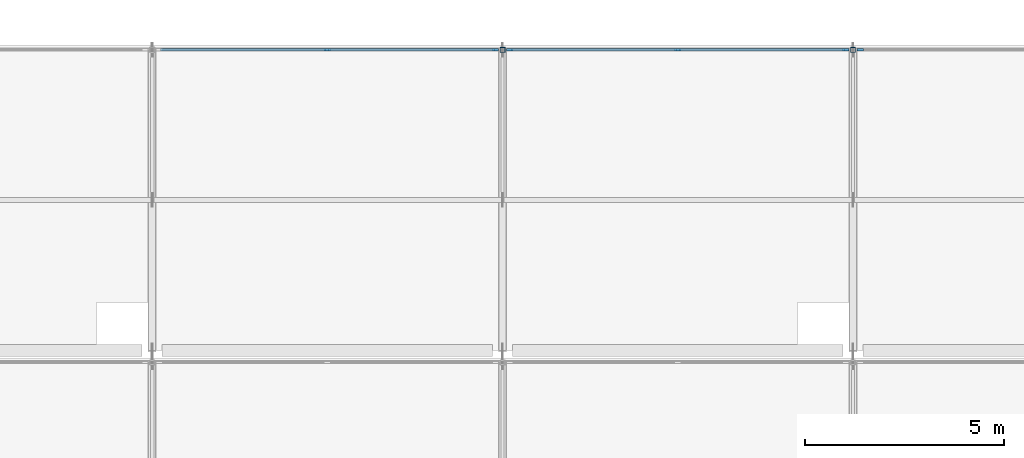
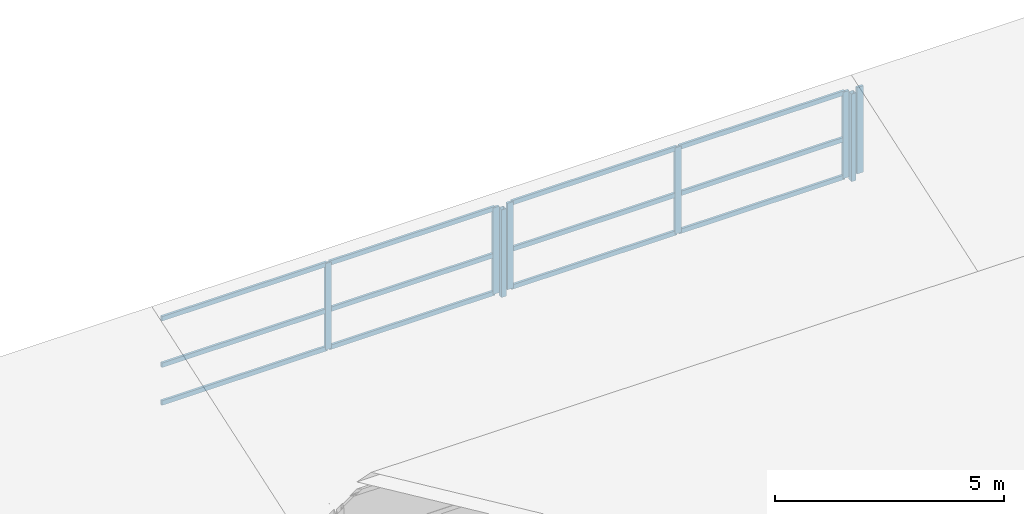
# One storey, part 18 of 40: 20 members, 3 elements without a shape of their own.
"""IFC4 building model written with IfcOpenShell, lengths in metres."""

from ifc_helpers import new_model, si_unit, direction, frame, origin, origin_2d, place, context, subcontext, project, spatial, rectangle, hollow_rectangle, extrude, material, material_profile, profile_set, type_object, element, aggregate, save


model = new_model("IFC4")

# Units and contexts
model_context = context("Model", 3, precision=1e-05, world=origin(), true_north=direction((0.0, 1.0)))
body_context = subcontext(model_context, "Body", "Model", "MODEL_VIEW")
ifc_project = project(units=[si_unit("LENGTHUNIT", "METRE"), si_unit("AREAUNIT", "SQUARE_METRE"), si_unit("VOLUMEUNIT", "CUBIC_METRE"), si_unit("PLANEANGLEUNIT", "RADIAN"), si_unit("MASSUNIT", "GRAM", prefix="KILO")], contexts=[model_context])

# Site, building, storey
site_placement = place(None, origin())
site = spatial("IfcSite", under=ifc_project, at=site_placement, CompositionType="ELEMENT")
building_placement = place(site_placement, origin())
building = spatial("IfcBuilding", under=site, at=building_placement, Name="Brinegate Botanical Conservatory", CompositionType="ELEMENT")
storey_placement = place(building_placement, frame((0.0, 0.0, 19.199951171875)))
storey = spatial("IfcBuildingStorey", under=building, at=storey_placement, Name="L05", CompositionType="ELEMENT", Elevation=19.199951171875)

# Curtain wall, members
ifc_material_1 = material(Name="Thermally broken anodised aluminium AW-6063-T6", Category="aluminium")
curtain_wall_type = type_object("IfcCurtainWallType", Name="CW_CW-SAW", PredefinedType="USERDEFINED", material=ifc_material_1)
curtain_wall_1_placement = place(storey_placement, origin())
curtain_wall_1 = element("IfcCurtainWall", 1, at=curtain_wall_1_placement, inside=storey, type_object=curtain_wall_type, Name="Sawtooth north-light clerestory B3.3", ObjectType="FACTORY CURTAIN WALL", PredefinedType="USERDEFINED")
ifc_material_profile_1 = material_profile(ifc_material_1, rectangle(XDim=0.06005859375, YDim=0.159912109375, at=origin_2d()), Name="ALUM MULLION 60x160")
ifc_profile_set_1 = profile_set([ifc_material_profile_1], Name="Thermally broken anodised aluminium AW-6063-T6")
member_type_1 = type_object("IfcMemberType", Name="Member_ML-01", PredefinedType="MULLION", material=ifc_profile_set_1)
member_1_placement = place(storey_placement, frame((72.800048828125, 111.14990234375, 0.150146484375), z_axis=(0.0, 0.0, 1.0), x_axis=(0.0, 1.0, 0.0)))
member_1 = element("IfcMember", 2, at=member_1_placement, type_object=member_type_1, Name="CW-SAW mullion 2", PredefinedType="MULLION", context=body_context, shape_type="SweptSolid", body=[
    extrude(rectangle(XDim=0.06005859375, YDim=0.159912109375, at=origin_2d()), origin(), (0.0, 0.0, 1.0), 2.2998046875),
])
member_2_placement = place(storey_placement, frame((77.02001953125, 111.14990234375, 0.150146484375), z_axis=(0.0, 0.0, 1.0), x_axis=(0.0, 1.0, 0.0)))
member_2 = element("IfcMember", 3, at=member_2_placement, type_object=member_type_1, Name="CW-SAW mullion 3", PredefinedType="MULLION", context=body_context, shape_type="SweptSolid", body=[
    extrude(rectangle(XDim=0.06005859375, YDim=0.159912109375, at=origin_2d()), origin(), (0.0, 0.0, 1.0), 2.2998046875),
])

curtain_wall_2_placement = place(storey_placement, origin())
curtain_wall_2 = element("IfcCurtainWall", 4, at=curtain_wall_2_placement, inside=storey, type_object=curtain_wall_type, Name="Sawtooth north-light clerestory B3.4", ObjectType="FACTORY CURTAIN WALL", PredefinedType="USERDEFINED")
member_3_placement = place(storey_placement, frame((77.3798828125, 111.14990234375, 0.150146484375), z_axis=(0.0, 0.0, 1.0), x_axis=(0.0, 1.0, 0.0)))
member_3 = element("IfcMember", 5, at=member_3_placement, type_object=member_type_1, Name="CW-SAW mullion 1", PredefinedType="MULLION", context=body_context, shape_type="SweptSolid", body=[
    extrude(rectangle(XDim=0.06005859375, YDim=0.159912109375, at=origin_2d()), origin(), (0.0, 0.0, 1.0), 2.2998046875),
])
member_4_placement = place(storey_placement, frame((81.60009765625, 111.14990234375, 0.150146484375), z_axis=(0.0, 0.0, 1.0), x_axis=(0.0, 1.0, 0.0)))
member_4 = element("IfcMember", 6, at=member_4_placement, type_object=member_type_1, Name="CW-SAW mullion 2", PredefinedType="MULLION", context=body_context, shape_type="SweptSolid", body=[
    extrude(rectangle(XDim=0.06005859375, YDim=0.159912109375, at=origin_2d()), origin(), (0.0, 0.0, 1.0), 2.2998046875),
])
member_5_placement = place(storey_placement, frame((85.820068359375, 111.14990234375, 0.150146484375), z_axis=(0.0, 0.0, 1.0), x_axis=(0.0, 1.0, 0.0)))
member_5 = element("IfcMember", 7, at=member_5_placement, type_object=member_type_1, Name="CW-SAW mullion 3", PredefinedType="MULLION", context=body_context, shape_type="SweptSolid", body=[
    extrude(rectangle(XDim=0.06005859375, YDim=0.159912109375, at=origin_2d()), origin(), (0.0, 0.0, 1.0), 2.2998046875),
])

# Curtain wall, member
curtain_wall_3_placement = place(storey_placement, origin())
curtain_wall_3 = element("IfcCurtainWall", 8, at=curtain_wall_3_placement, inside=storey, type_object=curtain_wall_type, Name="Sawtooth north-light clerestory B3.5", ObjectType="FACTORY CURTAIN WALL", PredefinedType="USERDEFINED")
member_6_placement = place(storey_placement, frame((86.179931640625, 111.14990234375, 0.150146484375), z_axis=(0.0, 0.0, 1.0), x_axis=(0.0, 1.0, 0.0)))
member_6 = element("IfcMember", 9, at=member_6_placement, type_object=member_type_1, Name="CW-SAW mullion 1", PredefinedType="MULLION", context=body_context, shape_type="SweptSolid", body=[
    extrude(rectangle(XDim=0.06005859375, YDim=0.159912109375, at=origin_2d()), origin(), (0.0, 0.0, 1.0), 2.2998046875),
])
aggregate(curtain_wall_3, [member_6])

# Members
ifc_material_2 = material(Name="Structural steel Q355B / S355", Category="steel")
ifc_material_profile_2 = material_profile(ifc_material_2, hollow_rectangle(XDim=0.1201171875, YDim=0.1201171875, WallThickness=0.006103515625, at=origin_2d()), Name="SHS 120x120x6")
ifc_profile_set_2 = profile_set([ifc_material_profile_2], Name="Structural steel Q355B / S355")
member_type_2 = type_object("IfcMemberType", Name="Member_SS-01", PredefinedType="STRUT", material=ifc_profile_set_2)
for number, where, z_axis, x_axis, name in (
    (10, (77.199951171875, 111.14990234375, 0.02001953125), (0.0, 0.0, 1.0), (1.0, 0.0, 0.0), "Sawtooth north clerestory post SS-01 B3.T4"),
    (11, (86.0, 111.14990234375, 0.02001953125), (0.0, 0.0, 1.0), (1.0, 0.0, 0.0), "Sawtooth north clerestory post SS-01 B3.T5"),
):
    element("IfcMember", number, at=place(storey_placement, frame(where, z_axis=z_axis, x_axis=x_axis)), inside=storey, type_object=member_type_2, Name=name, PredefinedType="STRUT", context=body_context, shape_type="SweptSolid", body=[
        extrude(hollow_rectangle(XDim=0.1201171875, YDim=0.1201171875, WallThickness=0.006103515625, at=origin_2d()), origin(), (0.0, 0.0, 1.0), 2.330078125),
    ])

# Member
ifc_material_profile_3 = material_profile(ifc_material_1, rectangle(XDim=0.06005859375, YDim=0.1201171875, at=origin_2d()), Name="ALUM TRANSOM 60x120")
ifc_profile_set_3 = profile_set([ifc_material_profile_3], Name="Thermally broken anodised aluminium AW-6063-T6")
member_type_3 = type_object("IfcMemberType", Name="Member_TR-01", PredefinedType="USERDEFINED", material=ifc_profile_set_3)
member_7_placement = place(storey_placement, frame((68.610107421875, 111.14990234375, 0.179931640625), z_axis=(1.0, 0.0, 0.0), x_axis=(0.0, 1.0, 0.0)))
member_7 = element("IfcMember", 12, at=member_7_placement, type_object=member_type_3, Name="CW-SAW transom 1.1", ObjectType="TRANSOM", PredefinedType="USERDEFINED", context=body_context, shape_type="SweptSolid", body=[
    extrude(rectangle(XDim=0.06005859375, YDim=0.1201171875, at=origin_2d()), origin(), (0.0, 0.0, 1.0), 4.159912109375),
])

member_8_placement = place(storey_placement, frame((68.610107421875, 111.14990234375, 1.18505859375), z_axis=(1.0, 0.0, 0.0), x_axis=(0.0, 1.0, 0.0)))
member_8 = element("IfcMember", 13, at=member_8_placement, type_object=member_type_3, Name="CW-SAW transom 1.2", ObjectType="TRANSOM", PredefinedType="USERDEFINED", context=body_context, shape_type="SweptSolid", body=[
    extrude(rectangle(XDim=0.06005859375, YDim=0.1201171875, at=origin_2d()), origin(), (0.0, 0.0, 1.0), 4.159912109375),
])

member_9_placement = place(storey_placement, frame((68.610107421875, 111.14990234375, 2.420166015625), z_axis=(1.0, 0.0, 0.0), x_axis=(0.0, 1.0, 0.0)))
member_9 = element("IfcMember", 14, at=member_9_placement, type_object=member_type_3, Name="CW-SAW transom 1.3", ObjectType="TRANSOM", PredefinedType="USERDEFINED", context=body_context, shape_type="SweptSolid", body=[
    extrude(rectangle(XDim=0.06005859375, YDim=0.1201171875, at=origin_2d()), origin(), (0.0, 0.0, 1.0), 4.159912109375),
])

member_10_placement = place(storey_placement, frame((72.830078125, 111.14990234375, 0.179931640625), z_axis=(1.0, 0.0, 0.0), x_axis=(0.0, 1.0, 0.0)))
member_10 = element("IfcMember", 15, at=member_10_placement, type_object=member_type_3, Name="CW-SAW transom 2.1", ObjectType="TRANSOM", PredefinedType="USERDEFINED", context=body_context, shape_type="SweptSolid", body=[
    extrude(rectangle(XDim=0.06005859375, YDim=0.1201171875, at=origin_2d()), origin(), (0.0, 0.0, 1.0), 4.159912109375),
])

member_11_placement = place(storey_placement, frame((72.830078125, 111.14990234375, 1.18505859375), z_axis=(1.0, 0.0, 0.0), x_axis=(0.0, 1.0, 0.0)))
member_11 = element("IfcMember", 16, at=member_11_placement, type_object=member_type_3, Name="CW-SAW transom 2.2", ObjectType="TRANSOM", PredefinedType="USERDEFINED", context=body_context, shape_type="SweptSolid", body=[
    extrude(rectangle(XDim=0.06005859375, YDim=0.1201171875, at=origin_2d()), origin(), (0.0, 0.0, 1.0), 4.159912109375),
])

member_12_placement = place(storey_placement, frame((72.830078125, 111.14990234375, 2.420166015625), z_axis=(1.0, 0.0, 0.0), x_axis=(0.0, 1.0, 0.0)))
member_12 = element("IfcMember", 17, at=member_12_placement, type_object=member_type_3, Name="CW-SAW transom 2.3", ObjectType="TRANSOM", PredefinedType="USERDEFINED", context=body_context, shape_type="SweptSolid", body=[
    extrude(rectangle(XDim=0.06005859375, YDim=0.1201171875, at=origin_2d()), origin(), (0.0, 0.0, 1.0), 4.159912109375),
])

aggregate(curtain_wall_1, [member_1, member_2, member_7, member_8, member_9, member_10, member_11, member_12])

member_13_placement = place(storey_placement, frame((77.409912109375, 111.14990234375, 0.179931640625), z_axis=(1.0, 0.0, 0.0), x_axis=(0.0, 1.0, 0.0)))
member_13 = element("IfcMember", 18, at=member_13_placement, type_object=member_type_3, Name="CW-SAW transom 1.1", ObjectType="TRANSOM", PredefinedType="USERDEFINED", context=body_context, shape_type="SweptSolid", body=[
    extrude(rectangle(XDim=0.06005859375, YDim=0.1201171875, at=origin_2d()), origin(), (0.0, 0.0, 1.0), 4.16015625),
])

member_14_placement = place(storey_placement, frame((77.409912109375, 111.14990234375, 1.18505859375), z_axis=(1.0, 0.0, 0.0), x_axis=(0.0, 1.0, 0.0)))
member_14 = element("IfcMember", 19, at=member_14_placement, type_object=member_type_3, Name="CW-SAW transom 1.2", ObjectType="TRANSOM", PredefinedType="USERDEFINED", context=body_context, shape_type="SweptSolid", body=[
    extrude(rectangle(XDim=0.06005859375, YDim=0.1201171875, at=origin_2d()), origin(), (0.0, 0.0, 1.0), 4.16015625),
])

member_15_placement = place(storey_placement, frame((77.409912109375, 111.14990234375, 2.420166015625), z_axis=(1.0, 0.0, 0.0), x_axis=(0.0, 1.0, 0.0)))
member_15 = element("IfcMember", 20, at=member_15_placement, type_object=member_type_3, Name="CW-SAW transom 1.3", ObjectType="TRANSOM", PredefinedType="USERDEFINED", context=body_context, shape_type="SweptSolid", body=[
    extrude(rectangle(XDim=0.06005859375, YDim=0.1201171875, at=origin_2d()), origin(), (0.0, 0.0, 1.0), 4.16015625),
])

member_16_placement = place(storey_placement, frame((81.6298828125, 111.14990234375, 0.179931640625), z_axis=(1.0, 0.0, 0.0), x_axis=(0.0, 1.0, 0.0)))
member_16 = element("IfcMember", 21, at=member_16_placement, type_object=member_type_3, Name="CW-SAW transom 2.1", ObjectType="TRANSOM", PredefinedType="USERDEFINED", context=body_context, shape_type="SweptSolid", body=[
    extrude(rectangle(XDim=0.06005859375, YDim=0.1201171875, at=origin_2d()), origin(), (0.0, 0.0, 1.0), 4.16015625),
])

member_17_placement = place(storey_placement, frame((81.6298828125, 111.14990234375, 1.18505859375), z_axis=(1.0, 0.0, 0.0), x_axis=(0.0, 1.0, 0.0)))
member_17 = element("IfcMember", 22, at=member_17_placement, type_object=member_type_3, Name="CW-SAW transom 2.2", ObjectType="TRANSOM", PredefinedType="USERDEFINED", context=body_context, shape_type="SweptSolid", body=[
    extrude(rectangle(XDim=0.06005859375, YDim=0.1201171875, at=origin_2d()), origin(), (0.0, 0.0, 1.0), 4.16015625),
])

member_18_placement = place(storey_placement, frame((81.6298828125, 111.14990234375, 2.420166015625), z_axis=(1.0, 0.0, 0.0), x_axis=(0.0, 1.0, 0.0)))
member_18 = element("IfcMember", 23, at=member_18_placement, type_object=member_type_3, Name="CW-SAW transom 2.3", ObjectType="TRANSOM", PredefinedType="USERDEFINED", context=body_context, shape_type="SweptSolid", body=[
    extrude(rectangle(XDim=0.06005859375, YDim=0.1201171875, at=origin_2d()), origin(), (0.0, 0.0, 1.0), 4.16015625),
])

aggregate(curtain_wall_2, [member_3, member_4, member_5, member_13, member_14, member_15, member_16, member_17, member_18])

save(model, "model.ifc")
